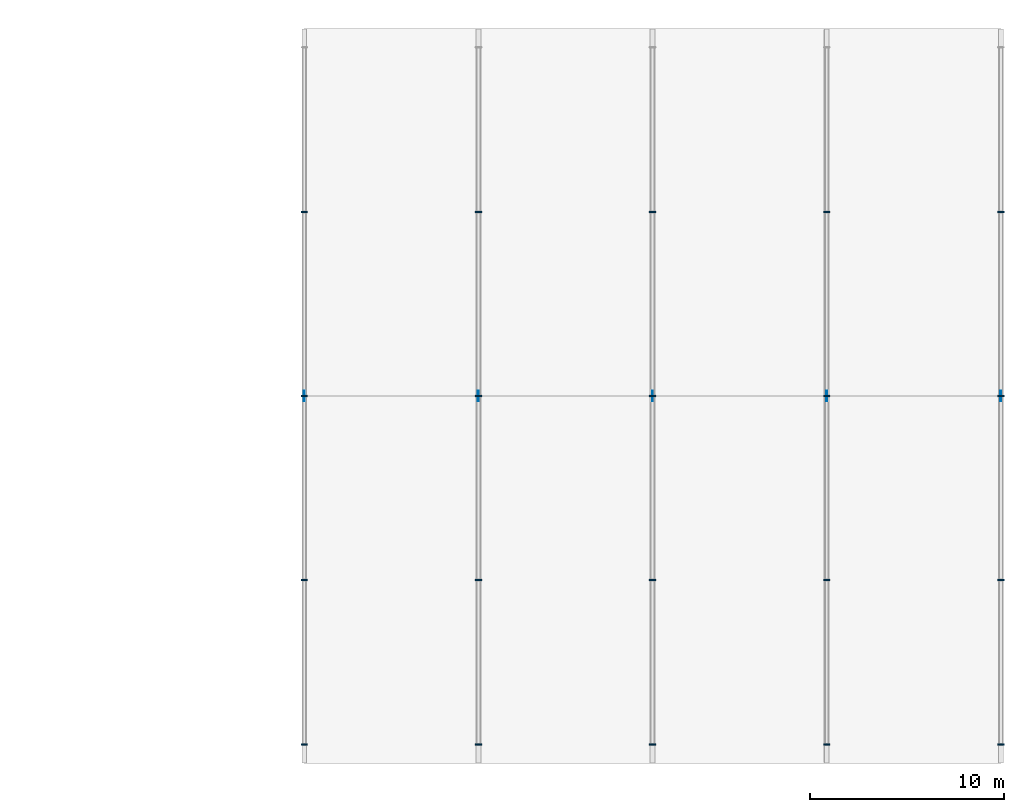
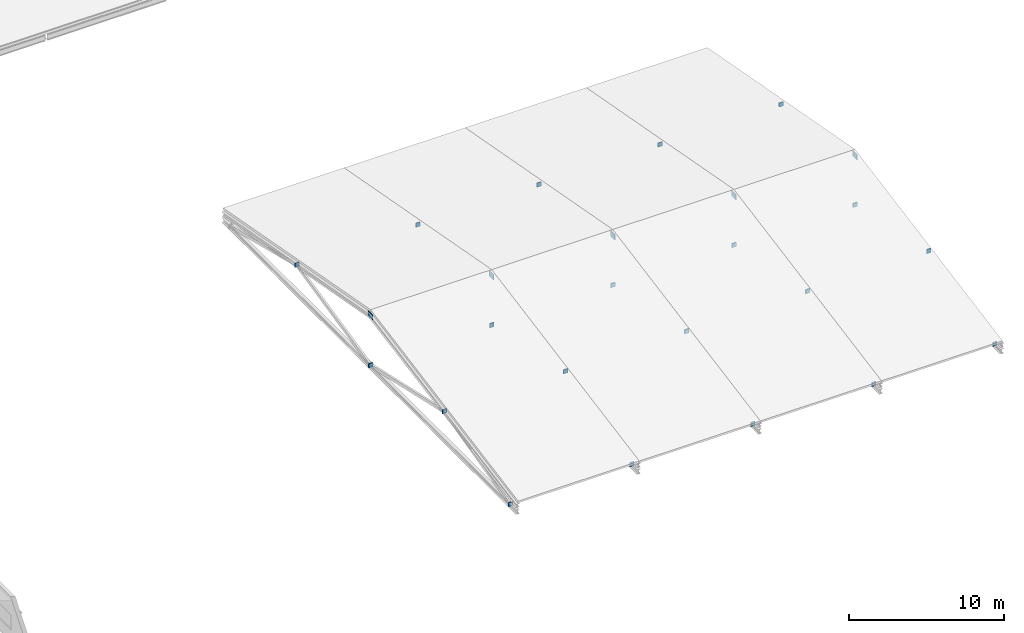
# One storey, part 81 of 96: 40 plates.
"""IFC4 building model written with IfcOpenShell, lengths in metres."""

from ifc_helpers import new_model, si_unit, direction, frame, origin, origin_2d, place, context, subcontext, project, spatial, rectangle, extrude, material, layer, layer_set, type_object, element, save


model = new_model("IFC4")

# Units and contexts
model_context = context("Model", 3, precision=1e-05, world=origin(), true_north=direction((0.0, 1.0)))
body_context = subcontext(model_context, "Body", "Model", "MODEL_VIEW")
ifc_project = project(units=[si_unit("LENGTHUNIT", "METRE"), si_unit("AREAUNIT", "SQUARE_METRE"), si_unit("VOLUMEUNIT", "CUBIC_METRE"), si_unit("PLANEANGLEUNIT", "RADIAN"), si_unit("MASSUNIT", "GRAM", prefix="KILO")], contexts=[model_context])

# Site, building, storey
site_placement = place(None, origin())
site = spatial("IfcSite", under=ifc_project, at=site_placement, CompositionType="ELEMENT")
building_placement = place(site_placement, origin())
building = spatial("IfcBuilding", under=site, at=building_placement, Name="Caisbarro Railhouse Central Library", CompositionType="ELEMENT")
storey_placement = place(building_placement, frame((0.0, 0.0, 13.679931640625)))
storey = spatial("IfcBuildingStorey", under=building, at=storey_placement, Name="L03", CompositionType="ELEMENT", Elevation=13.679931640625)

# Plates
ifc_material = material(Name="Steel ASTM A572 Grade 50", Category="steel")
ifc_layer_1 = layer(ifc_material, 0.054931640625, Name="Steel ASTM A572 Grade 50")
ifc_layer_set_1 = layer_set([ifc_layer_1], Name="Steel ASTM A572 Grade 50")
plate_type_1 = type_object("IfcPlateType", Name="PLT-EP02", PredefinedType="SHEET", material=ifc_layer_set_1)
for number, where, z_axis, x_axis, name in (
    (1, (144.0, 0.98828125, -0.99267578125), (0.0, 0.0, 1.0), (0.0, 1.0, 0.0), "EP02 end cap plate"),
    (2, (144.0, 9.51171875, 1.14306640625), (0.0, 0.0, 1.0), (0.0, 1.0, 0.0), "EP02 end cap plate"),
    (3, (144.0, 9.48828125, 1.142578125), (0.0, 0.0, 1.0), (0.0, 1.0, 0.0), "EP02 end cap plate"),
    (4, (144.0, 19.01171875, -0.99267578125), (0.0, 0.0, 1.0), (0.0, 1.0, 0.0), "EP02 end cap plate"),
    (5, (144.0, 18.98828125, -0.99267578125), (0.0, 0.0, 1.0), (0.0, 1.0, 0.0), "EP02 end cap plate"),
    (6, (144.0, 28.51171875, 1.142578125), (0.0, 0.0, 1.0), (0.0, 1.0, 0.0), "EP02 end cap plate"),
    (7, (144.0, 28.48828125, 1.14306640625), (0.0, 0.0, 1.0), (0.0, 1.0, 0.0), "EP02 end cap plate"),
    (8, (153.0, 0.98828125, -0.99267578125), (0.0, 0.0, 1.0), (0.0, 1.0, 0.0), "EP02 end cap plate"),
    (9, (153.0, 9.51171875, 1.14306640625), (0.0, 0.0, 1.0), (0.0, 1.0, 0.0), "EP02 end cap plate"),
    (10, (153.0, 9.48828125, 1.142578125), (0.0, 0.0, 1.0), (0.0, 1.0, 0.0), "EP02 end cap plate"),
    (11, (153.0, 19.01171875, -0.99267578125), (0.0, 0.0, 1.0), (0.0, 1.0, 0.0), "EP02 end cap plate"),
    (12, (153.0, 18.98828125, -0.99267578125), (0.0, 0.0, 1.0), (0.0, 1.0, 0.0), "EP02 end cap plate"),
    (13, (153.0, 28.51171875, 1.142578125), (0.0, 0.0, 1.0), (0.0, 1.0, 0.0), "EP02 end cap plate"),
    (14, (153.0, 28.48828125, 1.14306640625), (0.0, 0.0, 1.0), (0.0, 1.0, 0.0), "EP02 end cap plate"),
    (15, (162.0, 0.98828125, -0.99267578125), (0.0, 0.0, 1.0), (0.0, 1.0, 0.0), "EP02 end cap plate"),
    (16, (162.0, 9.51171875, 1.14306640625), (0.0, 0.0, 1.0), (0.0, 1.0, 0.0), "EP02 end cap plate"),
    (17, (162.0, 9.48828125, 1.142578125), (0.0, 0.0, 1.0), (0.0, 1.0, 0.0), "EP02 end cap plate"),
    (18, (162.0, 19.01171875, -0.99267578125), (0.0, 0.0, 1.0), (0.0, 1.0, 0.0), "EP02 end cap plate"),
    (19, (162.0, 18.98828125, -0.99267578125), (0.0, 0.0, 1.0), (0.0, 1.0, 0.0), "EP02 end cap plate"),
    (20, (162.0, 28.51171875, 1.142578125), (0.0, 0.0, 1.0), (0.0, 1.0, 0.0), "EP02 end cap plate"),
    (21, (162.0, 28.48828125, 1.14306640625), (0.0, 0.0, 1.0), (0.0, 1.0, 0.0), "EP02 end cap plate"),
    (22, (171.0, 0.98828125, -0.99267578125), (0.0, 0.0, 1.0), (0.0, 1.0, 0.0), "EP02 end cap plate"),
    (23, (171.0, 9.51171875, 1.14306640625), (0.0, 0.0, 1.0), (0.0, 1.0, 0.0), "EP02 end cap plate"),
    (24, (171.0, 9.48828125, 1.142578125), (0.0, 0.0, 1.0), (0.0, 1.0, 0.0), "EP02 end cap plate"),
    (25, (171.0, 19.01171875, -0.99267578125), (0.0, 0.0, 1.0), (0.0, 1.0, 0.0), "EP02 end cap plate"),
    (26, (171.0, 18.98828125, -0.99267578125), (0.0, 0.0, 1.0), (0.0, 1.0, 0.0), "EP02 end cap plate"),
    (27, (171.0, 28.51171875, 1.142578125), (0.0, 0.0, 1.0), (0.0, 1.0, 0.0), "EP02 end cap plate"),
    (28, (171.0, 28.48828125, 1.14306640625), (0.0, 0.0, 1.0), (0.0, 1.0, 0.0), "EP02 end cap plate"),
    (29, (180.0, 0.98828125, -0.99267578125), (0.0, 0.0, 1.0), (0.0, 1.0, 0.0), "EP02 end cap plate"),
    (30, (180.0, 9.51171875, 1.14306640625), (0.0, 0.0, 1.0), (0.0, 1.0, 0.0), "EP02 end cap plate"),
    (31, (180.0, 9.48828125, 1.142578125), (0.0, 0.0, 1.0), (0.0, 1.0, 0.0), "EP02 end cap plate"),
    (32, (180.0, 19.01171875, -0.99267578125), (0.0, 0.0, 1.0), (0.0, 1.0, 0.0), "EP02 end cap plate"),
    (33, (180.0, 18.98828125, -0.99267578125), (0.0, 0.0, 1.0), (0.0, 1.0, 0.0), "EP02 end cap plate"),
    (34, (180.0, 28.51171875, 1.142578125), (0.0, 0.0, 1.0), (0.0, 1.0, 0.0), "EP02 end cap plate"),
    (35, (180.0, 28.48828125, 1.14306640625), (0.0, 0.0, 1.0), (0.0, 1.0, 0.0), "EP02 end cap plate"),
):
    element("IfcPlate", number, at=place(storey_placement, frame(where, z_axis=z_axis, x_axis=x_axis)), inside=storey, type_object=plate_type_1, Name=name, PredefinedType="SHEET", context=body_context, shape_type="SweptSolid", body=[
        extrude(rectangle(XDim=0.054931640625, YDim=0.320068359375, at=origin_2d()), origin(), (0.0, 0.0, 1.0), 0.320068359375),
    ])
ifc_layer_2 = layer(ifc_material, 0.0439453125, Name="Steel ASTM A572 Grade 50")
ifc_layer_set_2 = layer_set([ifc_layer_2], Name="Steel ASTM A572 Grade 50")
plate_type_2 = type_object("IfcPlateType", Name="PLT-NP02", PredefinedType="SHEET", material=ifc_layer_set_2)
for number, where, z_axis, x_axis, name in (
    (36, (144.0, 19.0, 2.860107421875), (0.0, 0.0, 1.0), (1.0, 0.0, 0.0), "NP02 Auditorium Truss Apex Node X=144"),
    (37, (153.0, 19.0, 2.860107421875), (0.0, 0.0, 1.0), (1.0, 0.0, 0.0), "NP02 Auditorium Truss Apex Node X=153"),
    (38, (162.0, 19.0, 2.860107421875), (0.0, 0.0, 1.0), (1.0, 0.0, 0.0), "NP02 Auditorium Truss Apex Node X=162"),
    (39, (171.0, 19.0, 2.860107421875), (0.0, 0.0, 1.0), (1.0, 0.0, 0.0), "NP02 Auditorium Truss Apex Node X=171"),
    (40, (180.0, 19.0, 2.860107421875), (0.0, 0.0, 1.0), (1.0, 0.0, 0.0), "NP02 Auditorium Truss Apex Node X=180"),
):
    element("IfcPlate", number, at=place(storey_placement, frame(where, z_axis=z_axis, x_axis=x_axis)), inside=storey, type_object=plate_type_2, Name=name, PredefinedType="SHEET", context=body_context, shape_type="SweptSolid", body=[
        extrude(rectangle(XDim=0.0439453125, YDim=0.56005859375, at=origin_2d()), origin(), (0.0, 0.0, 1.0), 0.419921875),
    ])

save(model, "model.ifc")
